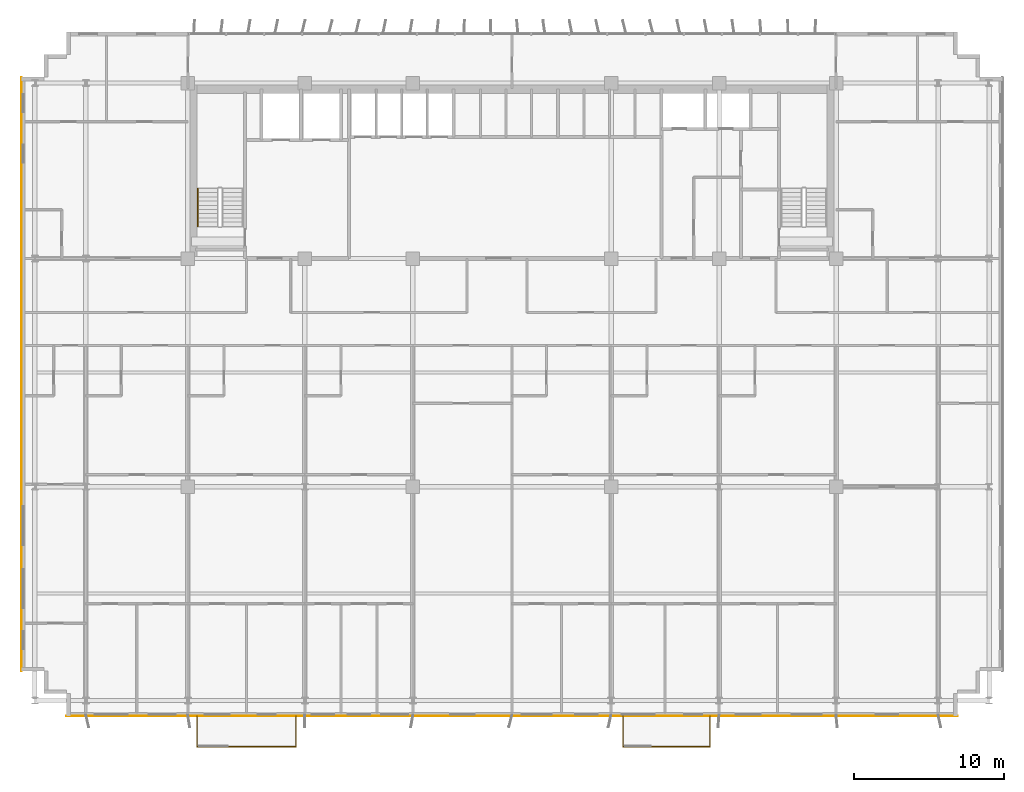
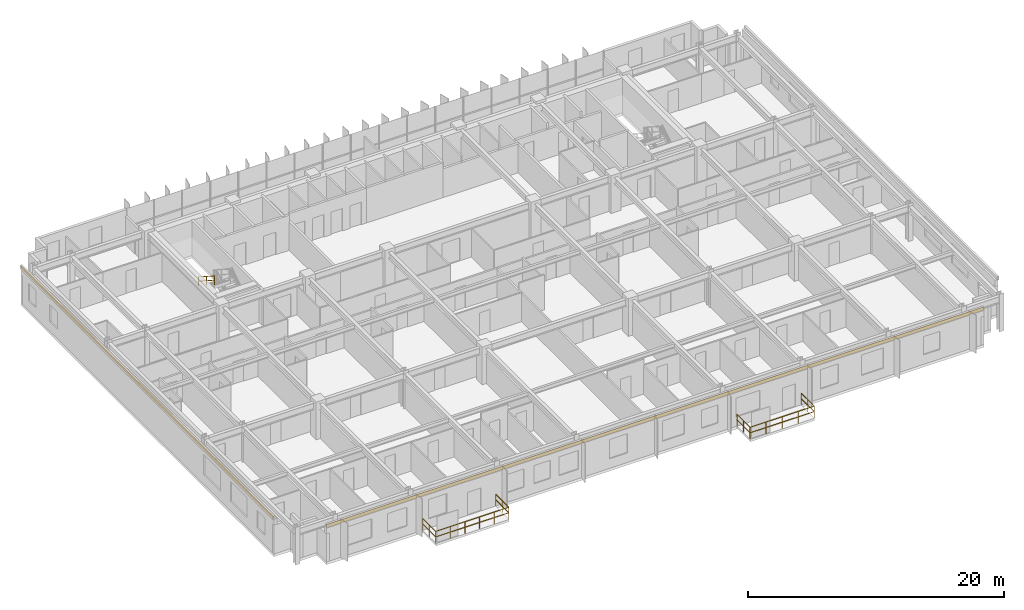
# One storey, part 22 of 24: 7 railings, 2 coverings.
"""IFC4 building model written with IfcOpenShell, lengths in metres."""

from ifc_helpers import new_model, si_unit, direction, frame, origin, origin_2d, place, context, subcontext, project, spatial, rectangle, extrude, source, transform, mapped, material, layer, layer_set, type_object, element, save


model = new_model("IFC4")

# Units and contexts
model_context = context("Model", 3, precision=1e-05, world=origin(), true_north=direction((0.0, 1.0)))
body_context = subcontext(model_context, "Body", "Model", "MODEL_VIEW")
ifc_project = project(units=[si_unit("LENGTHUNIT", "METRE"), si_unit("AREAUNIT", "SQUARE_METRE"), si_unit("VOLUMEUNIT", "CUBIC_METRE"), si_unit("PLANEANGLEUNIT", "RADIAN"), si_unit("MASSUNIT", "GRAM", prefix="KILO")], contexts=[model_context])

# Site, building, storey
site_placement = place(None, origin())
site = spatial("IfcSite", under=ifc_project, at=site_placement, CompositionType="ELEMENT")
building_placement = place(site_placement, origin())
building = spatial("IfcBuilding", under=site, at=building_placement, Name="Trelvane Seafront Commons", CompositionType="ELEMENT")
storey_placement = place(building_placement, frame((0.0, 0.0, 27.10009765625)))
storey = spatial("IfcBuildingStorey", under=building, at=storey_placement, Name="L06", CompositionType="ELEMENT", Elevation=27.10009765625)

# Railings
ifc_material_1 = material(Name="Stainless steel balustrade", Category="steel")
railing_type_1 = type_object("IfcRailingType", Name="ARCH-RAIL-BAL1150", PredefinedType="BALUSTRADE", material=ifc_material_1)
railing_1_placement = place(storey_placement, frame((16.199951171875, 2.89990234375, 0.0)))
element("IfcRailing", 1, at=railing_1_placement, inside=storey, type_object=railing_type_1, Name="RL-L06-BAL0-01", PredefinedType="BALUSTRADE", context=body_context, shape_type="SweptSolid", body=[
    extrude(rectangle(XDim=0.048095703125, YDim=0.048095703125, at=origin_2d()), frame((0.0, 0.0, 1.1259765625), z_axis=(0.0, -1.0, 0.0), x_axis=(1.0, 0.0, 0.0)), (0.0, 0.0, 1.0), 2.039794921875),
    extrude(rectangle(XDim=0.048095703125, YDim=0.048095703125, at=origin_2d()), frame((0.0, 0.0, 0.597900390625), z_axis=(0.0, -1.0, 0.0), x_axis=(1.0, 0.0, 0.0)), (0.0, 0.0, 1.0), 2.039794921875),
    extrude(rectangle(XDim=0.0419921875, YDim=0.0419921875, at=origin_2d()), origin(), (0.0, 0.0, 1.0), 1.1259765625),
    extrude(rectangle(XDim=0.0419921875, YDim=0.0419921875, at=origin_2d()), frame((0.0, -1.02001953125, 0.0)), (0.0, 0.0, 1.0), 1.1259765625),
    extrude(rectangle(XDim=0.0419921875, YDim=0.0419921875, at=origin_2d()), frame((0.0, -2.039794921875, 0.0)), (0.0, 0.0, 1.0), 1.1259765625),
])
railing_2_placement = place(storey_placement, frame((16.199951171875, 0.860107421875, 0.0)))
element("IfcRailing", 2, at=railing_2_placement, inside=storey, type_object=railing_type_1, Name="RL-L06-BAL0-02", PredefinedType="BALUSTRADE", context=body_context, shape_type="SweptSolid", body=[
    extrude(rectangle(XDim=0.048095703125, YDim=0.048095703125, at=origin_2d()), frame((0.0, 0.0, 1.1259765625), z_axis=(1.0, 0.0, 0.0), x_axis=(0.0, 1.0, 0.0)), (0.0, 0.0, 1.0), 6.60009765625),
    extrude(rectangle(XDim=0.048095703125, YDim=0.048095703125, at=origin_2d()), frame((0.0, 0.0, 0.597900390625), z_axis=(1.0, 0.0, 0.0), x_axis=(0.0, 1.0, 0.0)), (0.0, 0.0, 1.0), 6.60009765625),
    extrude(rectangle(XDim=0.0419921875, YDim=0.0419921875, at=origin_2d()), origin(), (0.0, 0.0, 1.0), 1.1259765625),
    extrude(rectangle(XDim=0.0419921875, YDim=0.0419921875, at=origin_2d()), frame((1.320068359375, 0.0, 0.0)), (0.0, 0.0, 1.0), 1.1259765625),
    extrude(rectangle(XDim=0.0419921875, YDim=0.0419921875, at=origin_2d()), frame((2.64013671875, 0.0, 0.0)), (0.0, 0.0, 1.0), 1.1259765625),
    extrude(rectangle(XDim=0.0419921875, YDim=0.0419921875, at=origin_2d()), frame((3.9599609375, 0.0, 0.0)), (0.0, 0.0, 1.0), 1.1259765625),
    extrude(rectangle(XDim=0.0419921875, YDim=0.0419921875, at=origin_2d()), frame((5.280029296875, 0.0, 0.0)), (0.0, 0.0, 1.0), 1.1259765625),
    extrude(rectangle(XDim=0.0419921875, YDim=0.0419921875, at=origin_2d()), frame((6.60009765625, 0.0, 0.0)), (0.0, 0.0, 1.0), 1.1259765625),
])
railing_3_placement = place(storey_placement, frame((22.800048828125, 0.860107421875, 0.0)))
element("IfcRailing", 3, at=railing_3_placement, inside=storey, type_object=railing_type_1, Name="RL-L06-BAL0-03", PredefinedType="BALUSTRADE", context=body_context, shape_type="SweptSolid", body=[
    extrude(rectangle(XDim=0.048095703125, YDim=0.048095703125, at=origin_2d()), frame((0.0, 0.0, 1.1259765625), z_axis=(0.0, 1.0, 0.0), x_axis=(-1.0, 0.0, 0.0)), (0.0, 0.0, 1.0), 2.039794921875),
    extrude(rectangle(XDim=0.048095703125, YDim=0.048095703125, at=origin_2d()), frame((0.0, 0.0, 0.597900390625), z_axis=(0.0, 1.0, 0.0), x_axis=(-1.0, 0.0, 0.0)), (0.0, 0.0, 1.0), 2.039794921875),
    extrude(rectangle(XDim=0.0419921875, YDim=0.0419921875, at=origin_2d()), origin(), (0.0, 0.0, 1.0), 1.1259765625),
    extrude(rectangle(XDim=0.0419921875, YDim=0.0419921875, at=origin_2d()), frame((0.0, 1.02001953125, 0.0)), (0.0, 0.0, 1.0), 1.1259765625),
    extrude(rectangle(XDim=0.0419921875, YDim=0.0419921875, at=origin_2d()), frame((0.0, 2.039794921875, 0.0)), (0.0, 0.0, 1.0), 1.1259765625),
])
railing_4_placement = place(storey_placement, frame((44.60009765625, 2.89990234375, 0.0)))
element("IfcRailing", 4, at=railing_4_placement, inside=storey, type_object=railing_type_1, Name="RL-L06-BAL1-01", PredefinedType="BALUSTRADE", context=body_context, shape_type="SweptSolid", body=[
    extrude(rectangle(XDim=0.048095703125, YDim=0.048095703125, at=origin_2d()), frame((0.0, 0.0, 1.1259765625), z_axis=(0.0, -1.0, 0.0), x_axis=(1.0, 0.0, 0.0)), (0.0, 0.0, 1.0), 2.039794921875),
    extrude(rectangle(XDim=0.048095703125, YDim=0.048095703125, at=origin_2d()), frame((0.0, 0.0, 0.597900390625), z_axis=(0.0, -1.0, 0.0), x_axis=(1.0, 0.0, 0.0)), (0.0, 0.0, 1.0), 2.039794921875),
    extrude(rectangle(XDim=0.0419921875, YDim=0.0419921875, at=origin_2d()), origin(), (0.0, 0.0, 1.0), 1.1259765625),
    extrude(rectangle(XDim=0.0419921875, YDim=0.0419921875, at=origin_2d()), frame((0.0, -1.02001953125, 0.0)), (0.0, 0.0, 1.0), 1.1259765625),
    extrude(rectangle(XDim=0.0419921875, YDim=0.0419921875, at=origin_2d()), frame((0.0, -2.039794921875, 0.0)), (0.0, 0.0, 1.0), 1.1259765625),
])
railing_5_placement = place(storey_placement, frame((44.60009765625, 0.860107421875, 0.0)))
element("IfcRailing", 5, at=railing_5_placement, inside=storey, type_object=railing_type_1, Name="RL-L06-BAL1-02", PredefinedType="BALUSTRADE", context=body_context, shape_type="SweptSolid", body=[
    extrude(rectangle(XDim=0.048095703125, YDim=0.048095703125, at=origin_2d()), frame((0.0, 0.0, 1.1259765625), z_axis=(1.0, 0.0, 0.0), x_axis=(0.0, 1.0, 0.0)), (0.0, 0.0, 1.0), 5.7998046875),
    extrude(rectangle(XDim=0.048095703125, YDim=0.048095703125, at=origin_2d()), frame((0.0, 0.0, 0.597900390625), z_axis=(1.0, 0.0, 0.0), x_axis=(0.0, 1.0, 0.0)), (0.0, 0.0, 1.0), 5.7998046875),
    extrude(rectangle(XDim=0.0419921875, YDim=0.0419921875, at=origin_2d()), origin(), (0.0, 0.0, 1.0), 1.1259765625),
    extrude(rectangle(XDim=0.0419921875, YDim=0.0419921875, at=origin_2d()), frame((1.449951171875, 0.0, 0.0)), (0.0, 0.0, 1.0), 1.1259765625),
    extrude(rectangle(XDim=0.0419921875, YDim=0.0419921875, at=origin_2d()), frame((2.89990234375, 0.0, 0.0)), (0.0, 0.0, 1.0), 1.1259765625),
    extrude(rectangle(XDim=0.0419921875, YDim=0.0419921875, at=origin_2d()), frame((4.349853515625, 0.0, 0.0)), (0.0, 0.0, 1.0), 1.1259765625),
    extrude(rectangle(XDim=0.0419921875, YDim=0.0419921875, at=origin_2d()), frame((5.7998046875, 0.0, 0.0)), (0.0, 0.0, 1.0), 1.1259765625),
])
railing_6_placement = place(storey_placement, frame((50.39990234375, 0.860107421875, 0.0)))
element("IfcRailing", 6, at=railing_6_placement, inside=storey, type_object=railing_type_1, Name="RL-L06-BAL1-03", PredefinedType="BALUSTRADE", context=body_context, shape_type="SweptSolid", body=[
    extrude(rectangle(XDim=0.048095703125, YDim=0.048095703125, at=origin_2d()), frame((0.0, 0.0, 1.1259765625), z_axis=(0.0, 1.0, 0.0), x_axis=(-1.0, 0.0, 0.0)), (0.0, 0.0, 1.0), 2.039794921875),
    extrude(rectangle(XDim=0.048095703125, YDim=0.048095703125, at=origin_2d()), frame((0.0, 0.0, 0.597900390625), z_axis=(0.0, 1.0, 0.0), x_axis=(-1.0, 0.0, 0.0)), (0.0, 0.0, 1.0), 2.039794921875),
    extrude(rectangle(XDim=0.0419921875, YDim=0.0419921875, at=origin_2d()), origin(), (0.0, 0.0, 1.0), 1.1259765625),
    extrude(rectangle(XDim=0.0419921875, YDim=0.0419921875, at=origin_2d()), frame((0.0, 1.02001953125, 0.0)), (0.0, 0.0, 1.0), 1.1259765625),
    extrude(rectangle(XDim=0.0419921875, YDim=0.0419921875, at=origin_2d()), frame((0.0, 2.039794921875, 0.0)), (0.0, 0.0, 1.0), 1.1259765625),
])
railing_type_2 = type_object("IfcRailingType", Name="ARCH-SRL-HAND", PredefinedType="HANDRAIL", material=ifc_material_1)
railing_7_placement = place(storey_placement, frame((16.25, 38.070068359375, 1.97998046875)))
element("IfcRailing", 7, at=railing_7_placement, inside=storey, type_object=railing_type_2, Name="L06 ST-1 stair handrail 2", PredefinedType="HANDRAIL", context=body_context, shape_type="SweptSolid", body=[
    extrude(rectangle(XDim=0.048095703125, YDim=0.048095703125, at=origin_2d()), frame((0.0, 0.0, 0.8759765625), z_axis=(0.0, -0.841199657755, 0.540724639528), x_axis=(1.0, 0.0, 0.0)), (0.0, 0.0, 1.0), 2.995849609375),
    extrude(rectangle(XDim=0.048095703125, YDim=0.048095703125, at=origin_2d()), frame((0.0, 0.0, 0.468017578125), z_axis=(0.0, -0.841199657755, 0.540724639528), x_axis=(1.0, 0.0, 0.0)), (0.0, 0.0, 1.0), 2.995849609375),
    extrude(rectangle(XDim=0.0419921875, YDim=0.0419921875, at=origin_2d()), origin(), (0.0, 0.0, 1.0), 0.8759765625),
    extrude(rectangle(XDim=0.0419921875, YDim=0.0419921875, at=origin_2d()), frame((0.0, -1.260009765625, 0.81005859375)), (0.0, 0.0, 1.0), 0.8759765625),
    extrude(rectangle(XDim=0.0419921875, YDim=0.0419921875, at=origin_2d()), frame((0.0, -2.52001953125, 1.619873046875)), (0.0, 0.0, 1.0), 0.8759765625),
])

# Coverings
ifc_material_2 = material(Name="Anodised pale-silver aluminium", Category="aluminium")
ifc_layer = layer(ifc_material_2, 0.034912109375, Name="ARCH-COV-CLAD35")
ifc_layer_set = layer_set([ifc_layer], Name="Anodised pale-silver aluminium")
covering_type = type_object("IfcCoveringType", Name="ARCH-COV-CLAD35", PredefinedType="CLADDING", material=ifc_layer_set)
shared_shape_1 = source(origin(), body_context, "Body", "SweptSolid", [
    extrude(rectangle(XDim=39.60009765625, YDim=0.034912109375, at=origin_2d()), origin(), (0.0, 0.0, 1.0), 0.300048828125),
])
covering_1_placement = place(storey_placement, frame((4.5, 25.699951171875, 3.2998046875), z_axis=(0.0, 0.0, 1.0), x_axis=(0.0, 1.0, 0.0)))
element("IfcCovering", 8, at=covering_1_placement, inside=storey, type_object=covering_type, Name="CLD-L06-00042", PredefinedType="CLADDING", context=body_context, shape_type="MappedRepresentation", body=[
    mapped(shared_shape_1, transform((0.0, 0.0, 0.0), x_axis=(1.0, 0.0, 0.0), y_axis=(0.0, 1.0, 0.0), z_axis=(0.0, 0.0, 1.0), scale=1.0)),
])
shared_shape_2 = source(origin(), body_context, "Body", "SweptSolid", [
    extrude(rectangle(XDim=59.39990234375, YDim=0.034912109375, at=origin_2d()), origin(), (0.0, 0.0, 1.0), 0.300048828125),
])
covering_2_placement = place(storey_placement, frame((37.199951171875, 2.89990234375, 3.2998046875), z_axis=(0.0, 0.0, 1.0), x_axis=(-1.0, 0.0, 0.0)))
element("IfcCovering", 9, at=covering_2_placement, inside=storey, type_object=covering_type, Name="CLD-L06-00044", PredefinedType="CLADDING", context=body_context, shape_type="MappedRepresentation", body=[
    mapped(shared_shape_2, transform((0.0, 0.0, 0.0), x_axis=(1.0, 0.0, 0.0), y_axis=(0.0, 1.0, 0.0), z_axis=(0.0, 0.0, 1.0), scale=1.0)),
])

save(model, "model.ifc")
